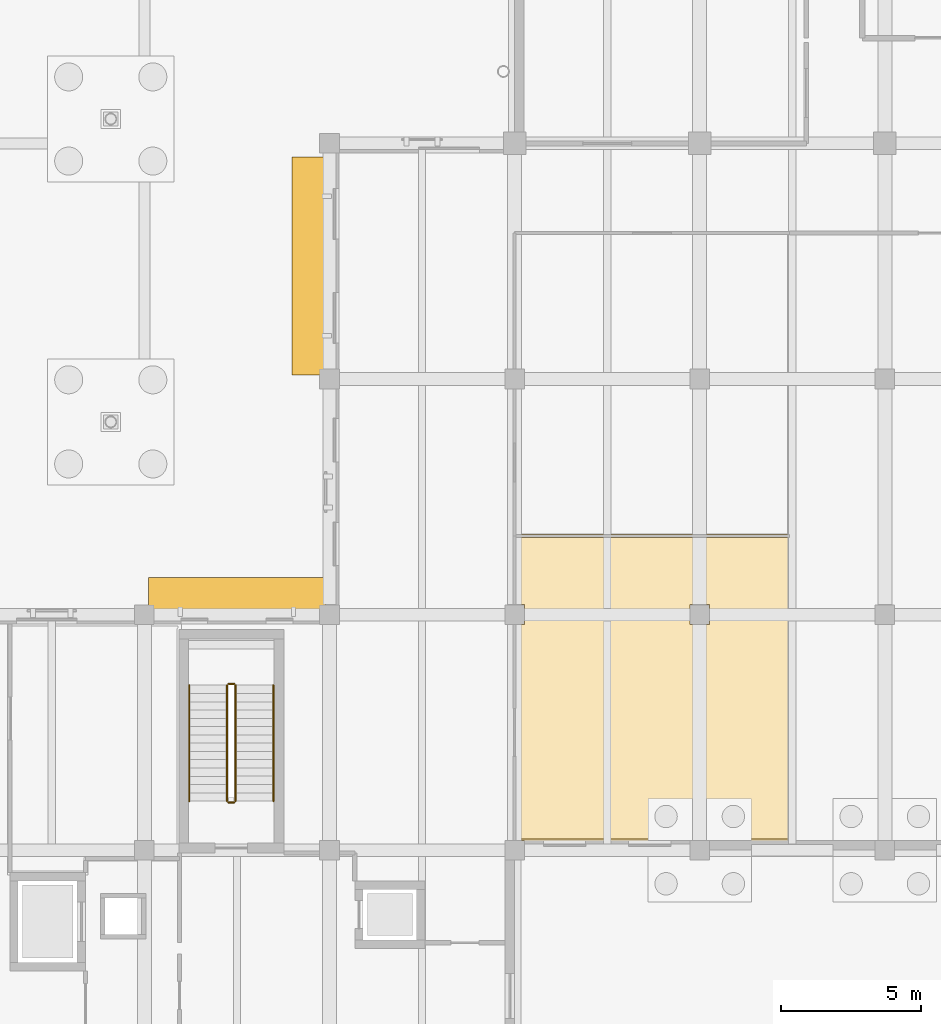
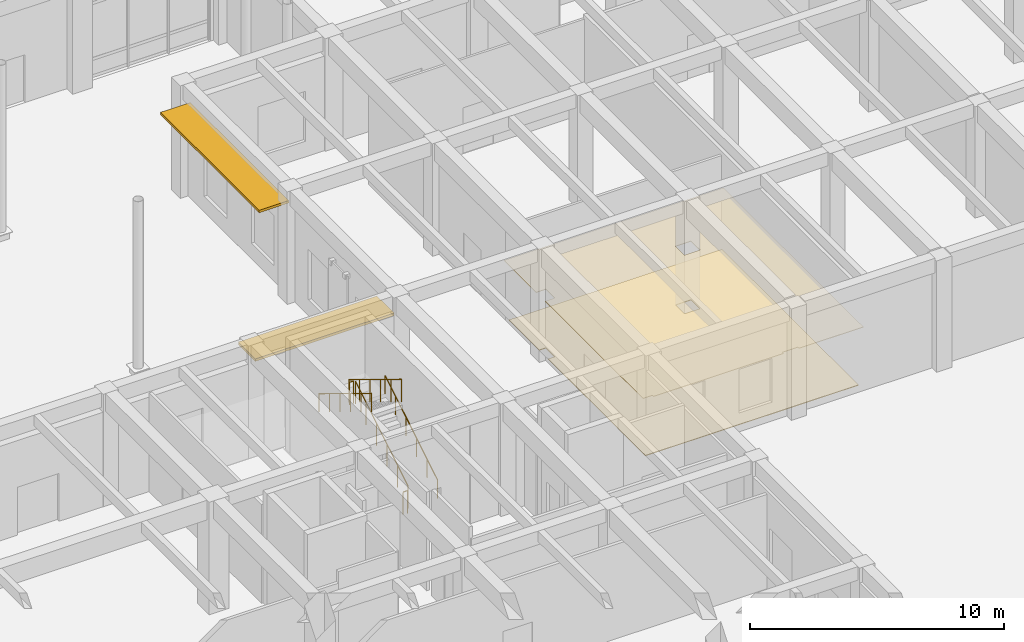
# One storey, part 79 of 82: 6 railings, 2 coverings, 2 shading devices.
"""IFC4 building model written with IfcOpenShell, lengths in metres."""

import ifcopenshell
import ifcopenshell.guid

model = None  # the IFC model being written
_history = None  # IfcOwnerHistory: only IFC2X3 demands one
_inside = {}  # id of a spatial element -> (the spatial element, [elements in it])
_under = {}  # id of a project, library or spatial element -> (it, [spatial elements below it])
_declared = {}  # id of a project -> (the project, [libraries it declares])
_typed = {}  # id of a type object -> (the type object, [elements of that type])
_made_of = {}  # id of a material, layer set ... -> (it, [elements and type objects made of it])


def new_model(schema):
    """Start an empty IFC model of exactly this schema.

    Asked for "IFC4X3", IfcOpenShell would pick the latest addendum, in which some entities
    have other attributes; the version numbers below select the first issue.
    IFC2X3 requires an IfcOwnerHistory on every rooted entity: one is made here for all.
    """
    global model, _history
    if schema == "IFC4X3":
        model = ifcopenshell.file(schema_version=(4, 3, 0, 0))
    else:
        model = ifcopenshell.file(schema=schema)
    _inside.clear()
    _under.clear()
    _declared.clear()
    _typed.clear()
    _made_of.clear()
    _history = None
    if model.schema == "IFC2X3":
        org = make("IfcOrganization", Name="unknown")
        user = make(
            "IfcPersonAndOrganization",
            ThePerson=make("IfcPerson", FamilyName="unknown"),
            TheOrganization=org,
        )
        app = make(
            "IfcApplication",
            ApplicationDeveloper=org,
            Version="unknown",
            ApplicationFullName="unknown",
            ApplicationIdentifier="unknown",
        )
        _history = make(
            "IfcOwnerHistory",
            OwningUser=user,
            OwningApplication=app,
            ChangeAction="ADDED",
            CreationDate=0,
        )
    return model


def make(cls, **values):
    """One entity of the class cls with the attributes given. An attribute that is None is left unset."""
    return model.create_entity(
        cls, **{name: value for name, value in values.items() if value is not None}
    )


def rooted(cls, **values):
    """An entity with a GlobalId (a new one), such as an element, a storey or a relation."""
    return make(cls, GlobalId=ifcopenshell.guid.new(), OwnerHistory=_history, **values)


def si_unit(unit_type, name, prefix=None):
    """IfcSIUnit, for example si_unit("LENGTHUNIT", "METRE", prefix="MILLI")."""
    return make("IfcSIUnit", UnitType=unit_type, Prefix=prefix, Name=name)


def assignment(units):
    """IfcUnitAssignment: the units of a project."""
    return None if units is None else make("IfcUnitAssignment", Units=units)


def point(xyz):
    """IfcCartesianPoint."""
    return None if xyz is None else make("IfcCartesianPoint", Coordinates=xyz)


def direction(xyz):
    """IfcDirection."""
    return None if xyz is None else make("IfcDirection", DirectionRatios=xyz)


def frame(location, z_axis=None, x_axis=None):
    """IfcAxis2Placement3D, a coordinate frame: its origin and axes. An axis left out is left unset."""
    return make(
        "IfcAxis2Placement3D",
        Location=point(location),
        Axis=direction(z_axis),
        RefDirection=direction(x_axis),
    )


def frame_2d(location, x_axis=None):
    """IfcAxis2Placement2D, a coordinate frame in the plane: its origin and x axis."""
    return make(
        "IfcAxis2Placement2D", Location=point(location), RefDirection=direction(x_axis)
    )


def origin():
    """The frame at (0, 0, 0) with its axes left unset."""
    return frame((0.0, 0.0, 0.0))


def origin_2d():
    """The frame at (0, 0) in the plane with its x axis left unset."""
    return frame_2d((0.0, 0.0))


def place(relative_to, where):
    """IfcLocalPlacement: puts the frame where relative to a parent placement (None: the world)."""
    return make(
        "IfcLocalPlacement", PlacementRelTo=relative_to, RelativePlacement=where
    )


def context(
    kind, dimensions, precision=None, world=None, true_north=None, identifier=None
):
    """IfcGeometricRepresentationContext, for example the 3D "Model" context."""
    return make(
        "IfcGeometricRepresentationContext",
        ContextIdentifier=identifier,
        ContextType=kind,
        CoordinateSpaceDimension=dimensions,
        Precision=precision,
        WorldCoordinateSystem=world,
        TrueNorth=true_north,
    )


def subcontext(parent, identifier, kind, view, scale=None):
    """IfcGeometricRepresentationSubContext, for example "Body" below "Model"."""
    return make(
        "IfcGeometricRepresentationSubContext",
        ContextIdentifier=identifier,
        ContextType=kind,
        ParentContext=parent,
        TargetScale=scale,
        TargetView=view,
    )


def project(units=None, contexts=None):
    """IfcProject with its units and contexts."""
    return rooted(
        "IfcProject",
        Name="project",
        RepresentationContexts=contexts,
        UnitsInContext=assignment(units),
    )


def spatial(cls, under=None, at=None, **own):
    """A site, building, storey or space (cls), placed at a placement, below another one or the project."""
    s = rooted(cls, ObjectPlacement=at, **own)
    if under is not None:
        _under.setdefault(under.id(), (under, []))[1].append(s)
    return s


def polyline(points):
    """IfcPolyline through the points."""
    return make("IfcPolyline", Points=[point(p) for p in points])


def profile(cls, at=None, kind="AREA", **sizes):
    """A parametric profile (cls). Its sizes go by their IFC names, for example OverallWidth=200.0."""
    return make(cls, ProfileType=kind, Position=at, **sizes)


def rectangle(**sizes):
    """IfcRectangleProfileDef."""
    return profile("IfcRectangleProfileDef", **sizes)


def circle(**sizes):
    """IfcCircleProfileDef."""
    return profile("IfcCircleProfileDef", **sizes)


def outline(outer, holes=None, kind="AREA"):
    """IfcArbitraryClosedProfileDef: a profile drawn as a closed curve; with holes, ...WithVoids."""
    if holes is None:
        return make("IfcArbitraryClosedProfileDef", ProfileType=kind, OuterCurve=outer)
    return make(
        "IfcArbitraryProfileDefWithVoids",
        ProfileType=kind,
        OuterCurve=outer,
        InnerCurves=holes,
    )


def extrude(swept, where, along, depth):
    """IfcExtrudedAreaSolid: the profile swept, set in the frame where, extruded along a direction by depth."""
    return make(
        "IfcExtrudedAreaSolid",
        SweptArea=swept,
        Position=where,
        ExtrudedDirection=direction(along),
        Depth=depth,
    )


def shape(context_of_items, identifier, shape_type, items):
    """IfcShapeRepresentation: the items that make up one representation, for example the "Body"."""
    return make(
        "IfcShapeRepresentation",
        ContextOfItems=context_of_items,
        RepresentationIdentifier=identifier,
        RepresentationType=shape_type,
        Items=items,
    )


def material(Name=None, Category=None):
    """IfcMaterial."""
    return make("IfcMaterial", Name=Name, Category=Category)


def layer(
    of_material, thickness, ventilated=None, Name=None, Category=None, Priority=None
):
    """IfcMaterialLayer: one layer of a wall or slab, of a material (None: an air gap)."""
    return make(
        "IfcMaterialLayer",
        Material=of_material,
        LayerThickness=thickness,
        IsVentilated=ventilated,
        Name=Name,
        Category=Category,
        Priority=Priority,
    )


def layer_set(layers, Name=None):
    """IfcMaterialLayerSet."""
    return make("IfcMaterialLayerSet", MaterialLayers=layers, LayerSetName=Name)


def made_of(thing, what):
    """Note that an element or type object is made of a material, layer set ...; save() writes the relation."""
    if what is not None:
        _made_of.setdefault(what.id(), (what, []))[1].append(thing)
    return thing


def type_object(cls, material=None, **own):
    """A type object (cls), such as IfcWallType, which elements share."""
    return made_of(rooted(cls, **own), material)


def element(
    cls,
    number,
    at=None,
    inside=None,
    cuts=None,
    type_object=None,
    material=None,
    context=None,
    identifier="Body",
    shape_type=None,
    held_by="IfcProductDefinitionShape",
    body=None,
    shapes=None,
    **own,
):
    """One element of the class cls, such as IfcWall. Its Tag is "e" and its number.

    at: its placement. inside: the storey or other place that contains it. cuts: it is an
    opening in that element (IfcRelVoidsElement). A single representation is given by context,
    identifier, shape_type and body (its items); several are given by shapes. held_by: the class
    of the entity that holds the representations. save() writes the other relations.
    """
    e = rooted(cls, Tag="e%d" % number, ObjectPlacement=at, **own)
    if body is not None:
        shapes = [shape(context, identifier, shape_type, body)]
    if shapes is not None:
        e.Representation = make(held_by, Representations=shapes)
    if inside is not None:
        _inside.setdefault(inside.id(), (inside, []))[1].append(e)
    if cuts is not None:
        rooted(
            "IfcRelVoidsElement", RelatingBuildingElement=cuts, RelatedOpeningElement=e
        )
    if type_object is not None:
        _typed.setdefault(type_object.id(), (type_object, []))[1].append(e)
    return made_of(e, material)


def aggregate(whole, parts):
    """IfcRelAggregates: a whole, such as a stair, and the parts it consists of."""
    return rooted("IfcRelAggregates", RelatingObject=whole, RelatedObjects=parts)


def save(model, path):
    """Write the relations noted so far, then the file.

    IfcRelAggregates (storeys below a building ...), IfcRelContainedInSpatialStructure (elements
    in a storey), IfcRelDefinesByType, IfcRelAssociatesMaterial and IfcRelDeclares: one each for
    every whole, place, type object, material and project.
    """
    for whole, parts in _under.values():
        aggregate(whole, parts)
    for where, things in _inside.values():
        rooted(
            "IfcRelContainedInSpatialStructure",
            RelatedElements=things,
            RelatingStructure=where,
        )
    for kind, things in _typed.values():
        rooted("IfcRelDefinesByType", RelatedObjects=things, RelatingType=kind)
    for what, things in _made_of.values():
        rooted("IfcRelAssociatesMaterial", RelatedObjects=things, RelatingMaterial=what)
    for by, libraries in _declared.values():
        rooted("IfcRelDeclares", RelatingContext=by, RelatedDefinitions=libraries)
    model.write(path)


model = new_model("IFC4")

# Units and contexts
model_context = context("Model", 3, precision=1e-05, world=origin(), true_north=direction((0.0, 1.0)))
body_context = subcontext(model_context, "Body", "Model", "MODEL_VIEW")
ifc_project = project(units=[si_unit("LENGTHUNIT", "METRE"), si_unit("AREAUNIT", "SQUARE_METRE"), si_unit("VOLUMEUNIT", "CUBIC_METRE"), si_unit("PLANEANGLEUNIT", "RADIAN"), si_unit("MASSUNIT", "GRAM", prefix="KILO")], contexts=[model_context])

# Site, building, storey
site_placement = place(None, origin())
site = spatial("IfcSite", under=ifc_project, at=site_placement, CompositionType="ELEMENT")
building_placement = place(site_placement, origin())
building = spatial("IfcBuilding", under=site, at=building_placement, Name="Kolvaren Faculty of Natural Sciences", CompositionType="ELEMENT")
storey_placement = place(building_placement, origin())
storey = spatial("IfcBuildingStorey", under=building, at=storey_placement, Name="L00", CompositionType="ELEMENT", Elevation=0.0)

# Covering
ifc_material_1 = material(Name="Perforated mineral-fibre acoustic suspended ceiling tile")
ifc_layer_1 = layer(ifc_material_1, 0.02490234375)
ifc_layer_set_1 = layer_set([ifc_layer_1], Name="Perforated mineral-fibre acoustic suspended ceiling tile")
covering_type_1 = type_object("IfcCoveringType", Name="AcousticSuspendedCeiling_25", PredefinedType="CEILING", material=ifc_layer_set_1)
covering_1_placement = place(storey_placement, frame((0.0, 0.0, 2.824951171875)))
element("IfcCovering", 1, at=covering_1_placement, inside=storey, type_object=covering_type_1, Name="L00 Covered Bicycle Parking and Locker Hub acoustic ceiling", PredefinedType="CEILING", context=body_context, shape_type="SweptSolid", body=[
    extrude(outline(polyline([(145.75, 34.06005859375), (145.75, 34.14990234375), (145.050048828125, 34.14990234375), (145.050048828125, 34.06005859375), (139.14990234375, 34.06005859375), (139.14990234375, 34.14990234375), (138.719970703125, 34.14990234375), (138.719970703125, 41.85009765625), (139.14990234375, 41.85009765625), (139.14990234375, 42.550048828125), (138.719970703125, 42.550048828125), (138.719970703125, 45.080078125), (148.679931640625, 45.080078125), (148.679931640625, 34.06005859375), (145.75, 34.06005859375)]), holes=[polyline([(145.75, 42.550048828125), (145.050048828125, 42.550048828125), (145.050048828125, 41.85009765625), (145.75, 41.85009765625), (145.75, 42.550048828125)])]), origin(), (0.0, 0.0, 1.0), 0.025146484375),
])

# Shading devices
ifc_material_2 = material(Name="Precast concrete C35/45", Category="concrete")
ifc_layer_2 = layer(ifc_material_2, 0.1201171875)
ifc_layer_set_2 = layer_set([ifc_layer_2], Name="Precast concrete C35/45")
shading_device_type = type_object("IfcShadingDeviceType", Name="ChhajjaSolarHood_1350", PredefinedType="AWNING", material=ifc_layer_set_2)
shading_device_1_placement = place(storey_placement, frame((131.544921875, 54.6298828125, 4.44482421875), z_axis=(0.0, 0.0, 1.0), x_axis=(0.0, 1.0, 0.0)))
element("IfcShadingDevice", 2, at=shading_device_1_placement, inside=storey, type_object=shading_device_type, Name="L00 precast sandstone chhajja solar hood 17", PredefinedType="AWNING", context=body_context, shape_type="SweptSolid", body=[
    extrude(rectangle(XDim=7.760009765625, YDim=1.35009765625, at=origin_2d()), origin(), (0.0, 0.0, 1.0), 0.1201171875),
])
shading_device_2_placement = place(storey_placement, frame((128.89990234375, 42.85498046875, 4.294921875), z_axis=(0.0, 0.0, 1.0), x_axis=(1.0, 0.0, 0.0)))
element("IfcShadingDevice", 3, at=shading_device_2_placement, inside=storey, type_object=shading_device_type, Name="L00 precast sandstone chhajja solar hood 27", PredefinedType="AWNING", context=body_context, shape_type="SweptSolid", body=[
    extrude(rectangle(XDim=6.300048828125, YDim=1.35009765625, at=origin_2d()), origin(), (0.0, 0.0, 1.0), 0.1201171875),
])

# Railings
ifc_material_3 = material(Name="Structural steel EN 10210-1 S355J2H", Category="steel")
ifc_layer_3 = layer(ifc_material_3, 0.048095703125)
ifc_layer_set_3 = layer_set([ifc_layer_3], Name="Structural steel EN 10210-1 S355J2H")
railing_type_1 = type_object("IfcRailingType", Name="StairPitchHandrail_920", PredefinedType="HANDRAIL", material=ifc_layer_set_3)
railing_1_placement = place(storey_placement, frame((130.199951171875, 35.550048828125, 0.179931640625)))
element("IfcRailing", 4, at=railing_1_placement, inside=storey, type_object=railing_type_1, Name="L00 ST-3 stair handrail 1", PredefinedType="HANDRAIL", context=body_context, shape_type="SweptSolid", body=[
    extrude(circle(Radius=0.02392578125, at=origin_2d()), frame((0.0, 0.0, 0.8759765625), z_axis=(0.0, 0.853630913754, 0.520878357281), x_axis=(-1.0, 0.0, 0.0)), (0.0, 0.0, 1.0), 4.838134765625),
    extrude(circle(Radius=0.02099609375, at=origin_2d()), origin(), (0.0, 0.0, 1.0), 0.851806640625),
    extrude(circle(Radius=0.02099609375, at=origin_2d()), frame((0.0, 0.825927734375, 0.50390625)), (0.0, 0.0, 1.0), 0.851806640625),
    extrude(circle(Radius=0.02099609375, at=origin_2d()), frame((0.0, 1.65185546875, 1.008056640625)), (0.0, 0.0, 1.0), 0.851806640625),
    extrude(circle(Radius=0.02099609375, at=origin_2d()), frame((0.0, 2.47802734375, 1.511962890625)), (0.0, 0.0, 1.0), 0.851806640625),
    extrude(circle(Radius=0.02099609375, at=origin_2d()), frame((0.0, 3.303955078125, 2.01611328125)), (0.0, 0.0, 1.0), 0.851806640625),
    extrude(circle(Radius=0.02099609375, at=origin_2d()), frame((0.0, 4.1298828125, 2.52001953125)), (0.0, 0.0, 1.0), 0.851806640625),
])
railing_2_placement = place(storey_placement, frame((127.199951171875, 39.679931640625, 2.8798828125)))
element("IfcRailing", 5, at=railing_2_placement, inside=storey, type_object=railing_type_1, Name="L00 ST-3 stair handrail 2", PredefinedType="HANDRAIL", context=body_context, shape_type="SweptSolid", body=[
    extrude(circle(Radius=0.02392578125, at=origin_2d()), frame((0.0, 0.0, 0.8759765625), z_axis=(0.0, -0.853630913754, 0.520878357281), x_axis=(1.0, 0.0, 0.0)), (0.0, 0.0, 1.0), 4.838134765625),
    extrude(circle(Radius=0.02099609375, at=origin_2d()), origin(), (0.0, 0.0, 1.0), 0.851806640625),
    extrude(circle(Radius=0.02099609375, at=origin_2d()), frame((0.0, -0.825927734375, 0.50390625)), (0.0, 0.0, 1.0), 0.851806640625),
    extrude(circle(Radius=0.02099609375, at=origin_2d()), frame((0.0, -1.65185546875, 1.008056640625)), (0.0, 0.0, 1.0), 0.851806640625),
    extrude(circle(Radius=0.02099609375, at=origin_2d()), frame((0.0, -2.47802734375, 1.511962890625)), (0.0, 0.0, 1.0), 0.851806640625),
    extrude(circle(Radius=0.02099609375, at=origin_2d()), frame((0.0, -3.303955078125, 2.01611328125)), (0.0, 0.0, 1.0), 0.851806640625),
    extrude(circle(Radius=0.02099609375, at=origin_2d()), frame((0.0, -4.1298828125, 2.52001953125)), (0.0, 0.0, 1.0), 0.851806640625),
])
ifc_layer_4 = layer(ifc_material_3, 0.048095703125)
ifc_layer_set_4 = layer_set([ifc_layer_4], Name="Structural steel EN 10210-1 S355J2H")
railing_type_2 = type_object("IfcRailingType", Name="StairWellGuard_1100", PredefinedType="BALUSTRADE", material=ifc_layer_set_4)
railing_3_placement = place(storey_placement, frame((128.85009765625, 35.550048828125, 0.179931640625)))
element("IfcRailing", 6, at=railing_3_placement, inside=storey, type_object=railing_type_2, Name="L00 ST-3 stair guard 1", PredefinedType="BALUSTRADE", context=body_context, shape_type="SweptSolid", body=[
    extrude(circle(Radius=0.02392578125, at=origin_2d()), frame((0.0, 0.0, 1.076171875), z_axis=(0.0, 0.853630913754, 0.520878357281), x_axis=(-1.0, 0.0, 0.0)), (0.0, 0.0, 1.0), 4.838134765625),
    extrude(circle(Radius=0.02099609375, at=origin_2d()), origin(), (0.0, 0.0, 1.0), 1.052001953125),
    extrude(circle(Radius=0.02099609375, at=origin_2d()), frame((0.0, 0.825927734375, 0.50390625)), (0.0, 0.0, 1.0), 1.052001953125),
    extrude(circle(Radius=0.02099609375, at=origin_2d()), frame((0.0, 1.65185546875, 1.008056640625)), (0.0, 0.0, 1.0), 1.052001953125),
    extrude(circle(Radius=0.02099609375, at=origin_2d()), frame((0.0, 2.47802734375, 1.511962890625)), (0.0, 0.0, 1.0), 1.052001953125),
    extrude(circle(Radius=0.02099609375, at=origin_2d()), frame((0.0, 3.303955078125, 2.01611328125)), (0.0, 0.0, 1.0), 1.052001953125),
    extrude(circle(Radius=0.02099609375, at=origin_2d()), frame((0.0, 4.1298828125, 2.52001953125)), (0.0, 0.0, 1.0), 1.052001953125),
])
railing_4_placement = place(storey_placement, frame((128.800048828125, 39.72998046875, 2.699951171875)))
element("IfcRailing", 7, at=railing_4_placement, inside=storey, type_object=railing_type_2, Name="L00 ST-3 stair guard 2", PredefinedType="BALUSTRADE", context=body_context, shape_type="SweptSolid", body=[
    extrude(circle(Radius=0.02392578125, at=origin_2d()), frame((0.0, 0.0, 1.076171875), z_axis=(-1.0, 0.0, 0.0), x_axis=(0.0, -1.0, 0.0)), (0.0, 0.0, 1.0), 0.199951171875),
    extrude(circle(Radius=0.02099609375, at=origin_2d()), origin(), (0.0, 0.0, 1.0), 1.052001953125),
    extrude(circle(Radius=0.02099609375, at=origin_2d()), frame((-0.199951171875, 0.0, 0.0)), (0.0, 0.0, 1.0), 1.052001953125),
])
railing_5_placement = place(storey_placement, frame((128.550048828125, 39.679931640625, 2.8798828125)))
element("IfcRailing", 8, at=railing_5_placement, inside=storey, type_object=railing_type_2, Name="L00 ST-3 stair guard 3", PredefinedType="BALUSTRADE", context=body_context, shape_type="SweptSolid", body=[
    extrude(circle(Radius=0.02392578125, at=origin_2d()), frame((0.0, 0.0, 1.076171875), z_axis=(0.0, -0.853630913754, 0.520878357281), x_axis=(1.0, 0.0, 0.0)), (0.0, 0.0, 1.0), 4.838134765625),
    extrude(circle(Radius=0.02099609375, at=origin_2d()), origin(), (0.0, 0.0, 1.0), 1.052001953125),
    extrude(circle(Radius=0.02099609375, at=origin_2d()), frame((0.0, -0.825927734375, 0.50390625)), (0.0, 0.0, 1.0), 1.052001953125),
    extrude(circle(Radius=0.02099609375, at=origin_2d()), frame((0.0, -1.65185546875, 1.008056640625)), (0.0, 0.0, 1.0), 1.052001953125),
    extrude(circle(Radius=0.02099609375, at=origin_2d()), frame((0.0, -2.47802734375, 1.511962890625)), (0.0, 0.0, 1.0), 1.052001953125),
    extrude(circle(Radius=0.02099609375, at=origin_2d()), frame((0.0, -3.303955078125, 2.01611328125)), (0.0, 0.0, 1.0), 1.052001953125),
    extrude(circle(Radius=0.02099609375, at=origin_2d()), frame((0.0, -4.1298828125, 2.52001953125)), (0.0, 0.0, 1.0), 1.052001953125),
])
railing_6_placement = place(storey_placement, frame((128.800048828125, 35.5, 0.0)))
element("IfcRailing", 9, at=railing_6_placement, inside=storey, type_object=railing_type_2, Name="L00 ST-3 stair guard 4", PredefinedType="BALUSTRADE", context=body_context, shape_type="SweptSolid", body=[
    extrude(circle(Radius=0.02392578125, at=origin_2d()), frame((0.0, 0.0, 1.076171875), z_axis=(-1.0, 0.0, 0.0), x_axis=(0.0, -1.0, 0.0)), (0.0, 0.0, 1.0), 0.199951171875),
    extrude(circle(Radius=0.02099609375, at=origin_2d()), origin(), (0.0, 0.0, 1.0), 1.052001953125),
    extrude(circle(Radius=0.02099609375, at=origin_2d()), frame((-0.199951171875, 0.0, 0.0)), (0.0, 0.0, 1.0), 1.052001953125),
])

# Covering
ifc_material_4 = material(Name="Polished Uruguayan grey granite terrazzo flooring", Category="masonry")
ifc_layer_5 = layer(ifc_material_4, 0.030029296875)
ifc_layer_set_5 = layer_set([ifc_layer_5], Name="Polished Uruguayan grey granite terrazzo flooring")
covering_type_2 = type_object("IfcCoveringType", Name="TerrazzoFloorFinish_30", PredefinedType="FLOORING", material=ifc_layer_set_5)
covering_2_placement = place(storey_placement, origin())
element("IfcCovering", 10, at=covering_2_placement, inside=storey, type_object=covering_type_2, Name="L00 Covered Bicycle Parking and Locker Hub floor finish", PredefinedType="FLOORING", context=body_context, shape_type="SweptSolid", body=[
    extrude(outline(polyline([(148.5400390625, 34.199951171875), (138.860107421875, 34.199951171875), (138.860107421875, 41.85009765625), (139.14990234375, 41.85009765625), (139.14990234375, 42.550048828125), (138.860107421875, 42.550048828125), (138.860107421875, 44.93994140625), (148.5400390625, 44.93994140625), (148.5400390625, 34.199951171875)]), holes=[polyline([(145.75, 42.550048828125), (145.050048828125, 42.550048828125), (145.050048828125, 41.85009765625), (145.75, 41.85009765625), (145.75, 42.550048828125)])]), origin(), (0.0, 0.0, 1.0), 0.030029296875),
])

save(model, "model.ifc")
